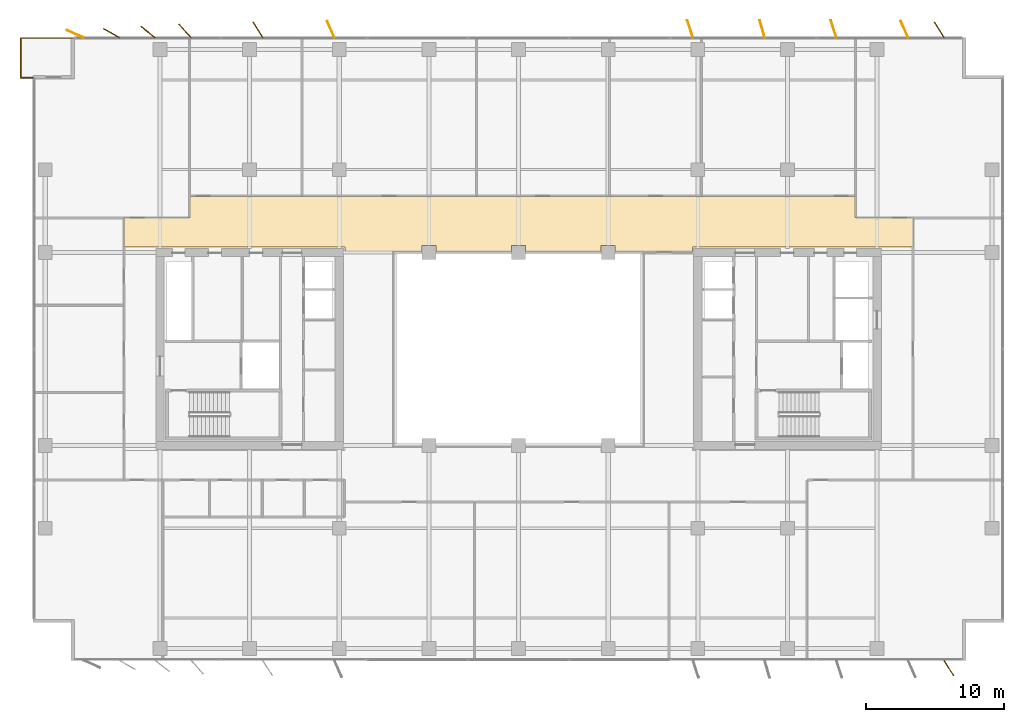
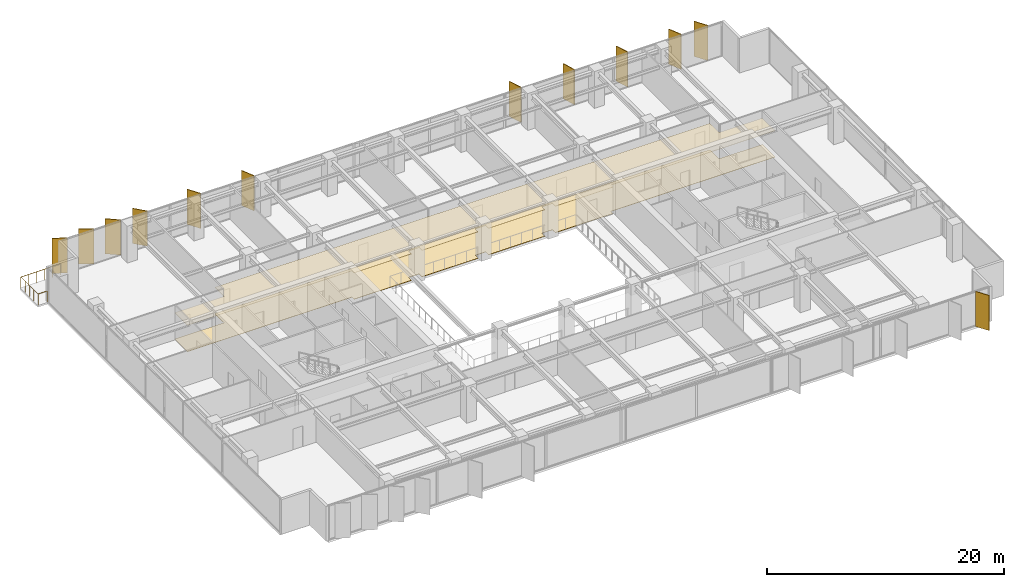
# One storey, part 22 of 22: 12 shading devices, 2 coverings, 1 railing.
"""IFC4 building model written with IfcOpenShell, lengths in metres."""

from ifc_helpers import new_model, si_unit, direction, frame, origin, origin_2d, place, context, subcontext, project, spatial, polyline, rectangle, circle, outline, extrude, material, layer, layer_set, type_object, element, save


model = new_model("IFC4")

# Units and contexts
model_context = context("Model", 3, precision=1e-05, world=origin(), true_north=direction((0.0, 1.0)))
body_context = subcontext(model_context, "Body", "Model", "MODEL_VIEW")
ifc_project = project(units=[si_unit("LENGTHUNIT", "METRE"), si_unit("AREAUNIT", "SQUARE_METRE"), si_unit("VOLUMEUNIT", "CUBIC_METRE"), si_unit("PLANEANGLEUNIT", "RADIAN"), si_unit("MASSUNIT", "GRAM", prefix="KILO")], contexts=[model_context])

# Site, building, storey
site_placement = place(None, origin())
site = spatial("IfcSite", under=ifc_project, at=site_placement, CompositionType="ELEMENT")
building_placement = place(site_placement, origin())
building = spatial("IfcBuilding", under=site, at=building_placement, Name="Putna Gate Headquarters", CompositionType="ELEMENT")
storey_placement = place(building_placement, frame((0.0, 0.0, 155.60009765625)))
storey = spatial("IfcBuildingStorey", under=building, at=storey_placement, Name="L38", CompositionType="ELEMENT", Elevation=155.60009765625)

# Coverings
ifc_material_1 = material(Name="Perforated mineral-fibre acoustic ceiling tile")
ifc_layer_1 = layer(ifc_material_1, 0.0400390625)
ifc_layer_set_1 = layer_set([ifc_layer_1], Name="Perforated mineral-fibre acoustic ceiling tile")
covering_type_1 = type_object("IfcCoveringType", Name="COV-ACOUSTIC-CEILING", PredefinedType="CEILING", material=ifc_layer_set_1)
covering_1_placement = place(storey_placement, frame((0.0, 0.0, 2.7099609375)))
element("IfcCovering", 1, at=covering_1_placement, inside=storey, type_object=covering_type_1, Name="L38 Acoustic Ceiling Covering 1", PredefinedType="CEILING", context=body_context, shape_type="SweptSolid", body=[
    extrude(outline(polyline([(44.991943359375, 33.02001953125), (44.991943359375, 33.508056640625), (46.008056640625, 33.508056640625), (46.008056640625, 33.02001953125), (51.60009765625, 33.02001953125), (51.60009765625, 33.3798828125), (67.6201171875, 33.3798828125), (67.6201171875, 35.52001953125), (63.3828125, 35.52001953125), (63.3828125, 37.06005859375), (15.17041015625, 37.06005859375), (15.17041015625, 35.52001953125), (10.3798828125, 35.52001953125), (10.3798828125, 33.3798828125), (26.39990234375, 33.3798828125), (26.39990234375, 33.02001953125), (31.991943359375, 33.02001953125), (31.991943359375, 33.508056640625), (33.008056640625, 33.508056640625), (33.008056640625, 33.02001953125), (38.491943359375, 33.02001953125), (38.491943359375, 33.508056640625), (39.508056640625, 33.508056640625), (39.508056640625, 33.02001953125), (44.991943359375, 33.02001953125)])), origin(), (0.0, 0.0, 1.0), 0.0400390625),
])
ifc_material_2 = material(Name="Calcium-sulphate raised access floor finish")
ifc_layer_2 = layer(ifc_material_2, 0.030029296875)
ifc_layer_set_2 = layer_set([ifc_layer_2], Name="Calcium-sulphate raised access floor finish")
covering_type_2 = type_object("IfcCoveringType", Name="COV-RAISED-FLOORING", PredefinedType="FLOORING", material=ifc_layer_set_2)
covering_2_placement = place(storey_placement, origin())
element("IfcCovering", 2, at=covering_2_placement, inside=storey, type_object=covering_type_2, Name="L38 Raised Access Floor Covering 1", PredefinedType="FLOORING", context=body_context, shape_type="SweptSolid", body=[
    extrude(outline(polyline([(44.991943359375, 33.02001953125), (44.991943359375, 33.508056640625), (46.008056640625, 33.508056640625), (46.008056640625, 33.02001953125), (51.60009765625, 33.02001953125), (51.60009765625, 33.3798828125), (67.6201171875, 33.3798828125), (67.6201171875, 35.52001953125), (63.3828125, 35.52001953125), (63.3828125, 37.06005859375), (15.17041015625, 37.06005859375), (15.17041015625, 35.52001953125), (10.3798828125, 35.52001953125), (10.3798828125, 33.3798828125), (26.39990234375, 33.3798828125), (26.39990234375, 33.02001953125), (31.991943359375, 33.02001953125), (31.991943359375, 33.508056640625), (33.008056640625, 33.508056640625), (33.008056640625, 33.02001953125), (38.491943359375, 33.02001953125), (38.491943359375, 33.508056640625), (39.508056640625, 33.508056640625), (39.508056640625, 33.02001953125), (44.991943359375, 33.02001953125)])), origin(), (0.0, 0.0, 1.0), 0.02978515625),
])

# Railing
ifc_material_3 = material(Name="Anodised bronze steel and laminated glass guardrail", Category="steel")
railing_type = type_object("IfcRailingType", Name="RAIL-TERR-GUARD-1150", PredefinedType="GUARDRAIL", material=ifc_material_3)
railing_placement = place(storey_placement, frame((3.800048828125, 45.659912109375, 0.0)))
element("IfcRailing", 3, at=railing_placement, inside=storey, type_object=railing_type, Name="L38 Spiral Sky Terrace Guardrail NW", PredefinedType="GUARDRAIL", context=body_context, shape_type="SweptSolid", body=[
    extrude(circle(Radius=0.02392578125, at=origin_2d()), frame((0.0, 0.0, 1.1259765625), z_axis=(-1.0, 0.0, 0.0), x_axis=(0.0, -1.0, 0.0)), (0.0, 0.0, 1.0), 0.89013671875),
    extrude(circle(Radius=0.02392578125, at=origin_2d()), frame((-0.89013671875, 0.0, 1.1259765625), z_axis=(0.0, 1.0, 0.0), x_axis=(-1.0, 0.0, 0.0)), (0.0, 0.0, 1.0), 2.880126953125),
    extrude(circle(Radius=0.02392578125, at=origin_2d()), frame((-0.89013671875, 2.880126953125, 1.1259765625), z_axis=(1.0, 0.0, 0.0), x_axis=(0.0, 1.0, 0.0)), (0.0, 0.0, 1.0), 3.89013671875),
    extrude(circle(Radius=0.02099609375, at=origin_2d()), origin(), (0.0, 0.0, 1.0), 1.101806640625),
    extrude(circle(Radius=0.02099609375, at=origin_2d()), frame((-0.89013671875, 0.0, 0.0)), (0.0, 0.0, 1.0), 1.101806640625),
    extrude(circle(Radius=0.02099609375, at=origin_2d()), frame((-0.89013671875, 0.719970703125, 0.0)), (0.0, 0.0, 1.0), 1.101806640625),
    extrude(circle(Radius=0.02099609375, at=origin_2d()), frame((-0.89013671875, 1.43994140625, 0.0)), (0.0, 0.0, 1.0), 1.101806640625),
    extrude(circle(Radius=0.02099609375, at=origin_2d()), frame((-0.89013671875, 2.16015625, 0.0)), (0.0, 0.0, 1.0), 1.101806640625),
    extrude(circle(Radius=0.02099609375, at=origin_2d()), frame((-0.89013671875, 2.880126953125, 0.0)), (0.0, 0.0, 1.0), 1.101806640625),
    extrude(circle(Radius=0.02099609375, at=origin_2d()), frame((-0.112060546875, 2.880126953125, 0.0)), (0.0, 0.0, 1.0), 1.101806640625),
    extrude(circle(Radius=0.02099609375, at=origin_2d()), frame((0.666015625, 2.880126953125, 0.0)), (0.0, 0.0, 1.0), 1.101806640625),
    extrude(circle(Radius=0.02099609375, at=origin_2d()), frame((1.44384765625, 2.880126953125, 0.0)), (0.0, 0.0, 1.0), 1.101806640625),
    extrude(circle(Radius=0.02099609375, at=origin_2d()), frame((2.221923828125, 2.880126953125, 0.0)), (0.0, 0.0, 1.0), 1.101806640625),
    extrude(circle(Radius=0.02099609375, at=origin_2d()), frame((3.0, 2.880126953125, 0.0)), (0.0, 0.0, 1.0), 1.101806640625),
])

# Shading devices
ifc_material_4 = material(Name="Anodised architectural bronze aluminium fin", Category="aluminium")
ifc_layer_3 = layer(ifc_material_4, 0.06494140625)
ifc_layer_set_3 = layer_set([ifc_layer_3], Name="Anodised architectural bronze aluminium fin")
shading_device_type = type_object("IfcShadingDeviceType", Name="SHADE-BRONZE-FIN-1320", PredefinedType="USERDEFINED", material=ifc_layer_set_3)
for number, where, z_axis, x_axis, name in (
    (4, (6.846923828125, 48.84326171875, -0.02001953125), (0.0, 0.0, 1.0), (-0.913687379856, 0.40641773078, 0.0), "L38 Bronze Vertical Shading Fin N1"),
    (5, (9.476318359375, 48.901123046875, -0.02001953125), (0.0, 0.0, 1.0), (-0.869322458298, 0.494245347472, 0.0), "L38 Bronze Vertical Shading Fin N2"),
    (6, (12.13037109375, 48.981689453125, -0.02001953125), (0.0, 0.0, 1.0), (-0.787473187632, 0.616348909921, 0.0), "L38 Bronze Vertical Shading Fin N3"),
    (7, (14.808349609375, 49.0654296875, -0.02001953125), (0.0, 0.0, 1.0), (-0.669130606359, 0.743144825477, 0.0), "L38 Bronze Vertical Shading Fin N4"),
    (8, (20.099853515625, 49.134521484375, -0.02001953125), (0.0, 0.0, 1.0), (-0.530659123936, 0.847585331506, 0.0), "L38 Bronze Vertical Shading Fin N5"),
    (9, (25.385498046875, 49.1796875, -0.02001953125), (0.0, 0.0, 1.0), (-0.400668879095, 0.916222925562, 0.0), "L38 Bronze Vertical Shading Fin N6"),
    (10, (51.4462890625, 49.202880859375, -0.02001953125), (0.0, 0.0, 1.0), (-0.308684994204, 0.951164325631, 0.0), "L38 Bronze Vertical Shading Fin N7"),
    (11, (56.668212890625, 49.20947265625, -0.02001953125), (0.0, 0.0, 1.0), (-0.275637355817, 0.961261695938, 0.0), "L38 Bronze Vertical Shading Fin N8"),
    (12, (61.84619140625, 49.202880859375, -0.02001953125), (0.0, 0.0, 1.0), (-0.308684994204, 0.951164325631, 0.0), "L38 Bronze Vertical Shading Fin N9"),
    (13, (66.985595703125, 49.1796875, -0.02001953125), (0.0, 0.0, 1.0), (-0.400668879095, 0.916222925562, 0.0), "L38 Bronze Vertical Shading Fin N10"),
    (14, (70.2001953125, 2.865478515625, -0.02001953125), (0.0, 0.0, 1.0), (0.530659123936, -0.847585331506, 0.0), "L38 Bronze Vertical Shading Fin S11"),
    (15, (69.499755859375, 49.134521484375, -0.02001953125), (0.0, 0.0, 1.0), (-0.530659123936, 0.847585331506, 0.0), "L38 Bronze Vertical Shading Fin N11"),
):
    element("IfcShadingDevice", number, at=place(storey_placement, frame(where, z_axis=z_axis, x_axis=x_axis)), inside=storey, type_object=shading_device_type, Name=name, ObjectType="FIN", PredefinedType="USERDEFINED", context=body_context, shape_type="SweptSolid", body=[
        extrude(rectangle(XDim=1.320068359375, YDim=0.06494140625, at=origin_2d()), origin(), (0.0, 0.0, 1.0), 3.612060546875),
    ])

save(model, "model.ifc")
